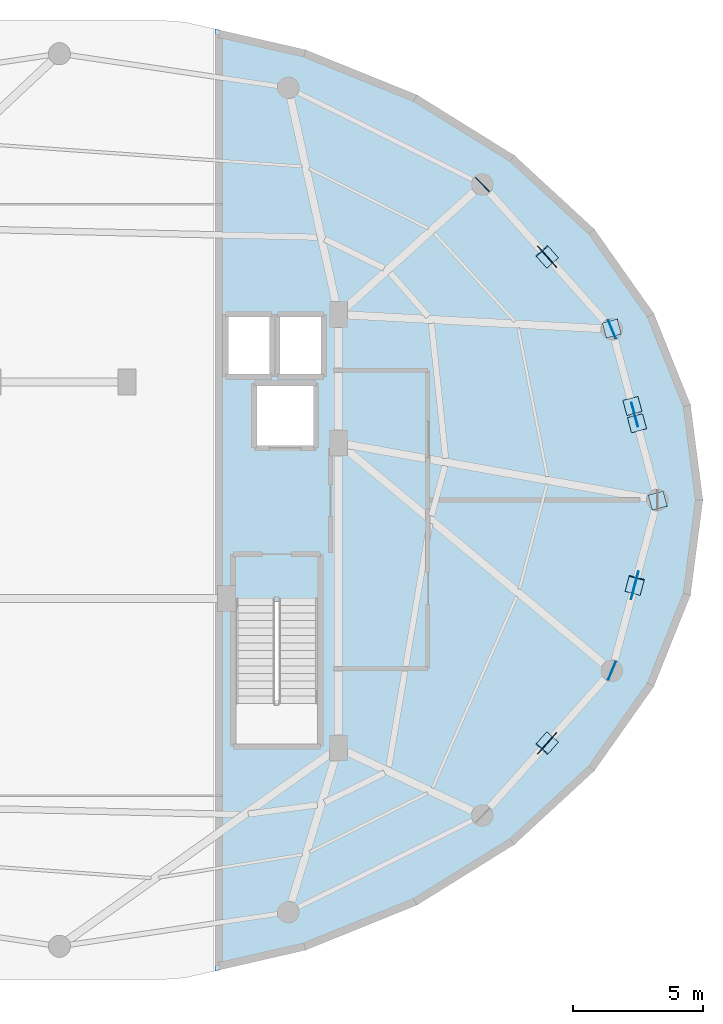
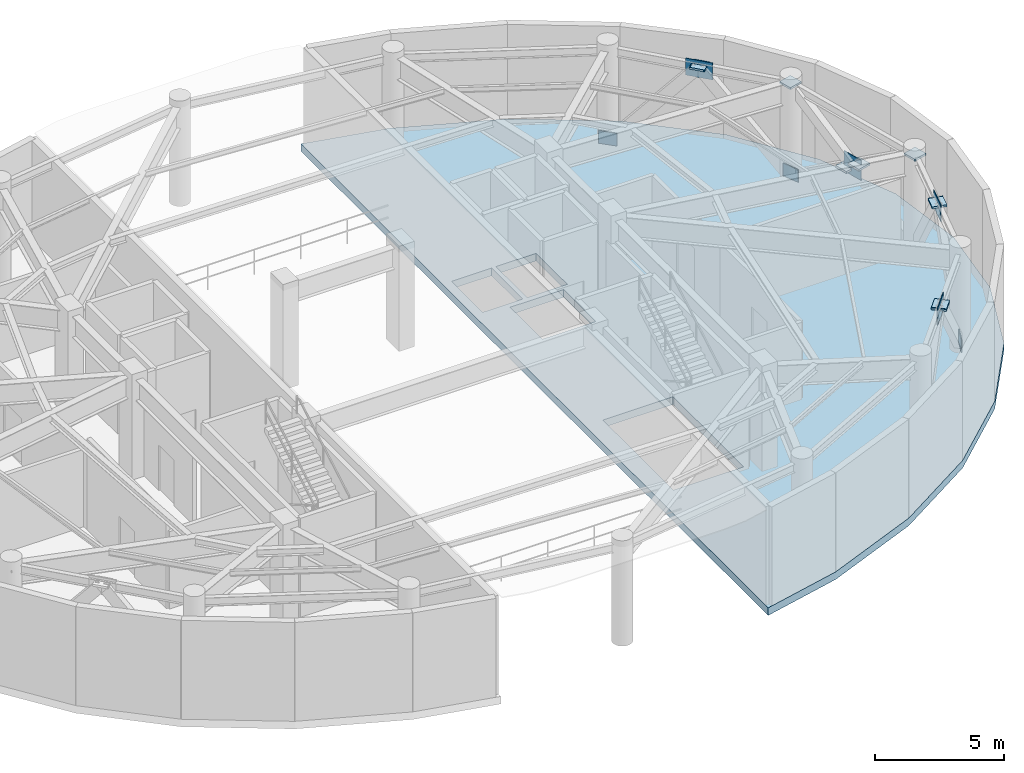
# One storey, part 4 of 7: 17 plates, 1 slab.
"""IFC4 building model written with IfcOpenShell, lengths in metres."""

import ifcopenshell
import ifcopenshell.guid

model = None  # the IFC model being written
_history = None  # IfcOwnerHistory: only IFC2X3 demands one
_inside = {}  # id of a spatial element -> (the spatial element, [elements in it])
_under = {}  # id of a project, library or spatial element -> (it, [spatial elements below it])
_declared = {}  # id of a project -> (the project, [libraries it declares])
_typed = {}  # id of a type object -> (the type object, [elements of that type])
_made_of = {}  # id of a material, layer set ... -> (it, [elements and type objects made of it])


def new_model(schema):
    """Start an empty IFC model of exactly this schema.

    Asked for "IFC4X3", IfcOpenShell would pick the latest addendum, in which some entities
    have other attributes; the version numbers below select the first issue.
    IFC2X3 requires an IfcOwnerHistory on every rooted entity: one is made here for all.
    """
    global model, _history
    if schema == "IFC4X3":
        model = ifcopenshell.file(schema_version=(4, 3, 0, 0))
    else:
        model = ifcopenshell.file(schema=schema)
    _inside.clear()
    _under.clear()
    _declared.clear()
    _typed.clear()
    _made_of.clear()
    _history = None
    if model.schema == "IFC2X3":
        org = make("IfcOrganization", Name="unknown")
        user = make(
            "IfcPersonAndOrganization",
            ThePerson=make("IfcPerson", FamilyName="unknown"),
            TheOrganization=org,
        )
        app = make(
            "IfcApplication",
            ApplicationDeveloper=org,
            Version="unknown",
            ApplicationFullName="unknown",
            ApplicationIdentifier="unknown",
        )
        _history = make(
            "IfcOwnerHistory",
            OwningUser=user,
            OwningApplication=app,
            ChangeAction="ADDED",
            CreationDate=0,
        )
    return model


def make(cls, **values):
    """One entity of the class cls with the attributes given. An attribute that is None is left unset."""
    return model.create_entity(
        cls, **{name: value for name, value in values.items() if value is not None}
    )


def rooted(cls, **values):
    """An entity with a GlobalId (a new one), such as an element, a storey or a relation."""
    return make(cls, GlobalId=ifcopenshell.guid.new(), OwnerHistory=_history, **values)


def si_unit(unit_type, name, prefix=None):
    """IfcSIUnit, for example si_unit("LENGTHUNIT", "METRE", prefix="MILLI")."""
    return make("IfcSIUnit", UnitType=unit_type, Prefix=prefix, Name=name)


def assignment(units):
    """IfcUnitAssignment: the units of a project."""
    return None if units is None else make("IfcUnitAssignment", Units=units)


def point(xyz):
    """IfcCartesianPoint."""
    return None if xyz is None else make("IfcCartesianPoint", Coordinates=xyz)


def direction(xyz):
    """IfcDirection."""
    return None if xyz is None else make("IfcDirection", DirectionRatios=xyz)


def frame(location, z_axis=None, x_axis=None):
    """IfcAxis2Placement3D, a coordinate frame: its origin and axes. An axis left out is left unset."""
    return make(
        "IfcAxis2Placement3D",
        Location=point(location),
        Axis=direction(z_axis),
        RefDirection=direction(x_axis),
    )


def frame_2d(location, x_axis=None):
    """IfcAxis2Placement2D, a coordinate frame in the plane: its origin and x axis."""
    return make(
        "IfcAxis2Placement2D", Location=point(location), RefDirection=direction(x_axis)
    )


def origin():
    """The frame at (0, 0, 0) with its axes left unset."""
    return frame((0.0, 0.0, 0.0))


def origin_2d():
    """The frame at (0, 0) in the plane with its x axis left unset."""
    return frame_2d((0.0, 0.0))


def place(relative_to, where):
    """IfcLocalPlacement: puts the frame where relative to a parent placement (None: the world)."""
    return make(
        "IfcLocalPlacement", PlacementRelTo=relative_to, RelativePlacement=where
    )


def context(
    kind, dimensions, precision=None, world=None, true_north=None, identifier=None
):
    """IfcGeometricRepresentationContext, for example the 3D "Model" context."""
    return make(
        "IfcGeometricRepresentationContext",
        ContextIdentifier=identifier,
        ContextType=kind,
        CoordinateSpaceDimension=dimensions,
        Precision=precision,
        WorldCoordinateSystem=world,
        TrueNorth=true_north,
    )


def subcontext(parent, identifier, kind, view, scale=None):
    """IfcGeometricRepresentationSubContext, for example "Body" below "Model"."""
    return make(
        "IfcGeometricRepresentationSubContext",
        ContextIdentifier=identifier,
        ContextType=kind,
        ParentContext=parent,
        TargetScale=scale,
        TargetView=view,
    )


def project(units=None, contexts=None):
    """IfcProject with its units and contexts."""
    return rooted(
        "IfcProject",
        Name="project",
        RepresentationContexts=contexts,
        UnitsInContext=assignment(units),
    )


def spatial(cls, under=None, at=None, **own):
    """A site, building, storey or space (cls), placed at a placement, below another one or the project."""
    s = rooted(cls, ObjectPlacement=at, **own)
    if under is not None:
        _under.setdefault(under.id(), (under, []))[1].append(s)
    return s


def polyline(points):
    """IfcPolyline through the points."""
    return make("IfcPolyline", Points=[point(p) for p in points])


def profile(cls, at=None, kind="AREA", **sizes):
    """A parametric profile (cls). Its sizes go by their IFC names, for example OverallWidth=200.0."""
    return make(cls, ProfileType=kind, Position=at, **sizes)


def rectangle(**sizes):
    """IfcRectangleProfileDef."""
    return profile("IfcRectangleProfileDef", **sizes)


def outline(outer, holes=None, kind="AREA"):
    """IfcArbitraryClosedProfileDef: a profile drawn as a closed curve; with holes, ...WithVoids."""
    if holes is None:
        return make("IfcArbitraryClosedProfileDef", ProfileType=kind, OuterCurve=outer)
    return make(
        "IfcArbitraryProfileDefWithVoids",
        ProfileType=kind,
        OuterCurve=outer,
        InnerCurves=holes,
    )


def extrude(swept, where, along, depth):
    """IfcExtrudedAreaSolid: the profile swept, set in the frame where, extruded along a direction by depth."""
    return make(
        "IfcExtrudedAreaSolid",
        SweptArea=swept,
        Position=where,
        ExtrudedDirection=direction(along),
        Depth=depth,
    )


def shape(context_of_items, identifier, shape_type, items):
    """IfcShapeRepresentation: the items that make up one representation, for example the "Body"."""
    return make(
        "IfcShapeRepresentation",
        ContextOfItems=context_of_items,
        RepresentationIdentifier=identifier,
        RepresentationType=shape_type,
        Items=items,
    )


def material(Name=None, Category=None):
    """IfcMaterial."""
    return make("IfcMaterial", Name=Name, Category=Category)


def layer(
    of_material, thickness, ventilated=None, Name=None, Category=None, Priority=None
):
    """IfcMaterialLayer: one layer of a wall or slab, of a material (None: an air gap)."""
    return make(
        "IfcMaterialLayer",
        Material=of_material,
        LayerThickness=thickness,
        IsVentilated=ventilated,
        Name=Name,
        Category=Category,
        Priority=Priority,
    )


def layer_set(layers, Name=None):
    """IfcMaterialLayerSet."""
    return make("IfcMaterialLayerSet", MaterialLayers=layers, LayerSetName=Name)


def made_of(thing, what):
    """Note that an element or type object is made of a material, layer set ...; save() writes the relation."""
    if what is not None:
        _made_of.setdefault(what.id(), (what, []))[1].append(thing)
    return thing


def type_object(cls, material=None, **own):
    """A type object (cls), such as IfcWallType, which elements share."""
    return made_of(rooted(cls, **own), material)


def element(
    cls,
    number,
    at=None,
    inside=None,
    cuts=None,
    type_object=None,
    material=None,
    context=None,
    identifier="Body",
    shape_type=None,
    held_by="IfcProductDefinitionShape",
    body=None,
    shapes=None,
    **own,
):
    """One element of the class cls, such as IfcWall. Its Tag is "e" and its number.

    at: its placement. inside: the storey or other place that contains it. cuts: it is an
    opening in that element (IfcRelVoidsElement). A single representation is given by context,
    identifier, shape_type and body (its items); several are given by shapes. held_by: the class
    of the entity that holds the representations. save() writes the other relations.
    """
    e = rooted(cls, Tag="e%d" % number, ObjectPlacement=at, **own)
    if body is not None:
        shapes = [shape(context, identifier, shape_type, body)]
    if shapes is not None:
        e.Representation = make(held_by, Representations=shapes)
    if inside is not None:
        _inside.setdefault(inside.id(), (inside, []))[1].append(e)
    if cuts is not None:
        rooted(
            "IfcRelVoidsElement", RelatingBuildingElement=cuts, RelatedOpeningElement=e
        )
    if type_object is not None:
        _typed.setdefault(type_object.id(), (type_object, []))[1].append(e)
    return made_of(e, material)


def aggregate(whole, parts):
    """IfcRelAggregates: a whole, such as a stair, and the parts it consists of."""
    return rooted("IfcRelAggregates", RelatingObject=whole, RelatedObjects=parts)


def save(model, path):
    """Write the relations noted so far, then the file.

    IfcRelAggregates (storeys below a building ...), IfcRelContainedInSpatialStructure (elements
    in a storey), IfcRelDefinesByType, IfcRelAssociatesMaterial and IfcRelDeclares: one each for
    every whole, place, type object, material and project.
    """
    for whole, parts in _under.values():
        aggregate(whole, parts)
    for where, things in _inside.values():
        rooted(
            "IfcRelContainedInSpatialStructure",
            RelatedElements=things,
            RelatingStructure=where,
        )
    for kind, things in _typed.values():
        rooted("IfcRelDefinesByType", RelatedObjects=things, RelatingType=kind)
    for what, things in _made_of.values():
        rooted("IfcRelAssociatesMaterial", RelatedObjects=things, RelatingMaterial=what)
    for by, libraries in _declared.values():
        rooted("IfcRelDeclares", RelatingContext=by, RelatedDefinitions=libraries)
    model.write(path)


model = new_model("IFC4")

# Units and contexts
model_context = context("Model", 3, precision=1e-05, world=origin(), true_north=direction((0.0, 1.0)))
body_context = subcontext(model_context, "Body", "Model", "MODEL_VIEW")
ifc_project = project(units=[si_unit("LENGTHUNIT", "METRE"), si_unit("AREAUNIT", "SQUARE_METRE"), si_unit("VOLUMEUNIT", "CUBIC_METRE"), si_unit("PLANEANGLEUNIT", "RADIAN"), si_unit("MASSUNIT", "GRAM", prefix="KILO")], contexts=[model_context])

# Site, building, storey
site_placement = place(None, origin())
site = spatial("IfcSite", under=ifc_project, at=site_placement, CompositionType="ELEMENT")
building_placement = place(site_placement, origin())
building = spatial("IfcBuilding", under=site, at=building_placement, Name="Vorneva Point Tower", CompositionType="ELEMENT")
storey_placement = place(building_placement, frame((0.0, 0.0, 280.39990234375)))
storey = spatial("IfcBuildingStorey", under=building, at=storey_placement, Name="L76", CompositionType="ELEMENT", Elevation=280.39990234375)

# Plates
ifc_material_1 = material(Name="Steel S355", Category="steel")
ifc_layer_1 = layer(ifc_material_1, 0.02392578125)
ifc_layer_set_1 = layer_set([ifc_layer_1], Name="Steel S355")
plate_type_1 = type_object("IfcPlateType", Name="PLT-CAP-EXT", PredefinedType="USERDEFINED", material=ifc_layer_set_1)
for number, where, z_axis, x_axis, name in (
    (1, (59.288818359375, 32.6064453125, 4.50830078125), (0.0, 0.0, 1.0), (-0.257571294219, 0.966259296666, 0.0), "L76 Perimeter Belt-Truss Continuous X-Brace 01A end closure plate 2"),
    (2, (60.083984375, 29.62353515625, 2.05908203125), (0.0, 0.0, 1.0), (0.257571294219, -0.966259296666, 0.0), "L76 Perimeter Belt-Truss Split X-Brace 01B1 end closure plate 2"),
    (3, (60.26123046875, 28.958740234375, 2.50537109375), (0.0, 0.0, 1.0), (0.257571294219, -0.966259296666, 0.0), "L76 Perimeter Belt-Truss Split X-Brace 01B2 end closure plate 1"),
    (4, (61.056396484375, 25.9755859375, 4.50830078125), (0.0, 0.0, 1.0), (0.257571294219, -0.966259296666, 0.0), "L76 Perimeter Belt-Truss Split X-Brace 01B2 end closure plate 2"),
    (5, (56.7841796875, 35.38671875, 4.51513671875), (0.0, 0.0, 1.0), (-0.667091755948, 0.744975562784, 0.0), "L76 Perimeter Belt-Truss Diagonal 02A end closure plate 2"),
    (6, (56.81005859375, 35.35791015625, 4.51513671875), (0.0, 0.0, 1.0), (0.667091755948, -0.744975562784, 0.0), "L76 Perimeter Belt-Truss Diagonal 02B end closure plate 2"),
    (7, (56.81005859375, 16.64208984375, 4.51513671875), (0.0, 0.0, 1.0), (0.667091755948, 0.744975562784, 0.0), "L76 Perimeter Belt-Truss Diagonal 15A end closure plate 2"),
    (8, (56.7841796875, 16.61328125, 4.51513671875), (0.0, 0.0, 1.0), (-0.667091755948, -0.744975562784, 0.0), "L76 Perimeter Belt-Truss Diagonal 15B end closure plate 2"),
    (9, (60.177490234375, 22.7265625, 4.51611328125), (0.0, 0.0, 1.0), (0.257571294219, 0.966259296666, 0.0), "L76 Perimeter Belt-Truss Diagonal 16A end closure plate 2"),
    (10, (60.16796875, 22.691162109375, 4.51611328125), (0.0, 0.0, 1.0), (-0.257571294219, -0.966259296666, 0.0), "L76 Perimeter Belt-Truss Diagonal 16B end closure plate 2"),
):
    element("IfcPlate", number, at=place(storey_placement, frame(where, z_axis=z_axis, x_axis=x_axis)), inside=storey, type_object=plate_type_1, Name=name, ObjectType="BASE PLATE", PredefinedType="USERDEFINED", context=body_context, shape_type="SweptSolid", body=[
        extrude(rectangle(XDim=0.60009765625, YDim=0.60009765625, at=origin_2d()), origin(), (0.0, 0.0, 1.0), 0.095947265625),
    ])
ifc_material_2 = material(Name="Steel S460", Category="steel")
ifc_layer_2 = layer(ifc_material_2, 0.031982421875)
ifc_layer_set_2 = layer_set([ifc_layer_2], Name="Steel S460")
plate_type_2 = type_object("IfcPlateType", Name="PLT-GUS-32", PredefinedType="USERDEFINED", material=ifc_layer_set_2)
plate_placement = place(storey_placement, frame((60.172607421875, 29.291015625, 1.85498046875), z_axis=(0.0, 0.0, 1.0), x_axis=(-0.257571294219, 0.966259296666, 0.0)))
element("IfcPlate", 11, at=plate_placement, inside=storey, type_object=plate_type_2, Name="L76 Belt-Truss X-Brace Central Node Gusset Plate 01", ObjectType="GUSSET PLATE", PredefinedType="USERDEFINED", context=body_context, shape_type="SweptSolid", body=[
    extrude(rectangle(XDim=0.949951171875, YDim=0.031982421875, at=origin_2d()), origin(), (0.0, 0.0, 1.0), 0.949951171875),
])
for number, where, z_axis, x_axis, name in (
    (12, (56.797119140625, 35.372314453125, 4.0), (0.0, 0.0, 1.0), (-0.667091755948, 0.744975562784, 0.0), "L76 Belt-Truss Apex Gusset Plate 02"),
    (13, (56.797119140625, 16.627685546875, 4.0), (0.0, 0.0, 1.0), (0.667091755948, 0.744975562784, 0.0), "L76 Belt-Truss Apex Gusset Plate 15"),
    (14, (60.172607421875, 22.708984375, 4.0), (0.0, 0.0, 1.0), (0.257571294219, 0.966259296666, 0.0), "L76 Belt-Truss Apex Gusset Plate 16"),
):
    element("IfcPlate", number, at=place(storey_placement, frame(where, z_axis=z_axis, x_axis=x_axis)), inside=storey, type_object=plate_type_2, Name=name, ObjectType="GUSSET PLATE", PredefinedType="USERDEFINED", context=body_context, shape_type="SweptSolid", body=[
        extrude(rectangle(XDim=1.10009765625, YDim=0.031982421875, at=origin_2d()), origin(), (0.0, 0.0, 1.0), 0.800048828125),
    ])
for number, where, z_axis, x_axis, name in (
    (15, (59.29541015625, 32.582275390625, -0.054931640625), (0.0, 0.0, 1.0), (-0.382683432365, 0.923879532511, 0.0), "L76 Belt-Truss Column Base Gusset Plate 02"),
    (16, (54.298828125, 38.162109375, -0.054931640625), (0.0, 0.0, 1.0), (-0.707106781187, 0.707106781187, 0.0), "L76 Belt-Truss Column Base Gusset Plate 03"),
    (17, (59.29541015625, 19.417724609375, -0.054931640625), (0.0, 0.0, 1.0), (0.382683432365, 0.923879532511, 0.0), "L76 Belt-Truss Column Base Gusset Plate 16"),
):
    element("IfcPlate", number, at=place(storey_placement, frame(where, z_axis=z_axis, x_axis=x_axis)), inside=storey, type_object=plate_type_2, Name=name, ObjectType="GUSSET PLATE", PredefinedType="USERDEFINED", context=body_context, shape_type="SweptSolid", body=[
        extrude(rectangle(XDim=0.75, YDim=0.031982421875, at=origin_2d()), origin(), (0.0, 0.0, 1.0), 0.64990234375),
    ])

# Slab
ifc_material_3 = material(Name="Concrete B50 (C40/50)", Category="concrete")
ifc_layer_3 = layer(ifc_material_3, 0.360107421875)
ifc_layer_set_3 = layer_set([ifc_layer_3], Name="Concrete B50 (C40/50)")
slab_type = type_object("IfcSlabType", Name="SLB-TRN-360", PredefinedType="FLOOR", material=ifc_layer_set_3)
slab_placement = place(storey_placement, frame((0.0, 0.0, -0.35986328125)))
element("IfcSlab", 18, at=slab_placement, inside=storey, type_object=slab_type, Name="Level 76 Wind Portal East Structural Slab", PredefinedType="FLOOR", context=body_context, shape_type="SweptSolid", body=[
    extrude(outline(polyline([(44.0, 44.152099609375), (44.0, 7.847900390625), (47.490478515625, 8.6494140625), (51.778076171875, 10.385009765625), (55.5361328125, 12.720458984375), (58.620361328125, 15.56640625), (60.912109375, 18.813232421875), (62.323486328125, 22.336181640625), (62.800048828125, 26.0), (62.323486328125, 29.663818359375), (60.912109375, 33.186767578125), (58.620361328125, 36.43359375), (55.5361328125, 39.279541015625), (51.778076171875, 41.614990234375), (47.490478515625, 43.3505859375), (44.0, 44.152099609375)]), holes=[polyline([(44.39990234375, 30.739990234375), (46.199951171875, 30.739990234375), (46.199951171875, 33.159912109375), (44.39990234375, 33.159912109375), (44.39990234375, 30.739990234375)]), polyline([(46.39990234375, 30.739990234375), (48.199951171875, 30.739990234375), (48.199951171875, 33.159912109375), (46.39990234375, 33.159912109375), (46.39990234375, 30.739990234375)]), polyline([(45.5, 28.0), (47.89990234375, 28.0), (47.89990234375, 30.5), (45.5, 30.5), (45.5, 28.0)]), polyline([(44.800048828125, 16.60009765625), (47.949951171875, 16.60009765625), (47.949951171875, 22.080078125), (44.800048828125, 22.080078125), (44.800048828125, 16.60009765625)])]), origin(), (0.0, 0.0, 1.0), 0.35986328125),
])

save(model, "model.ifc")
